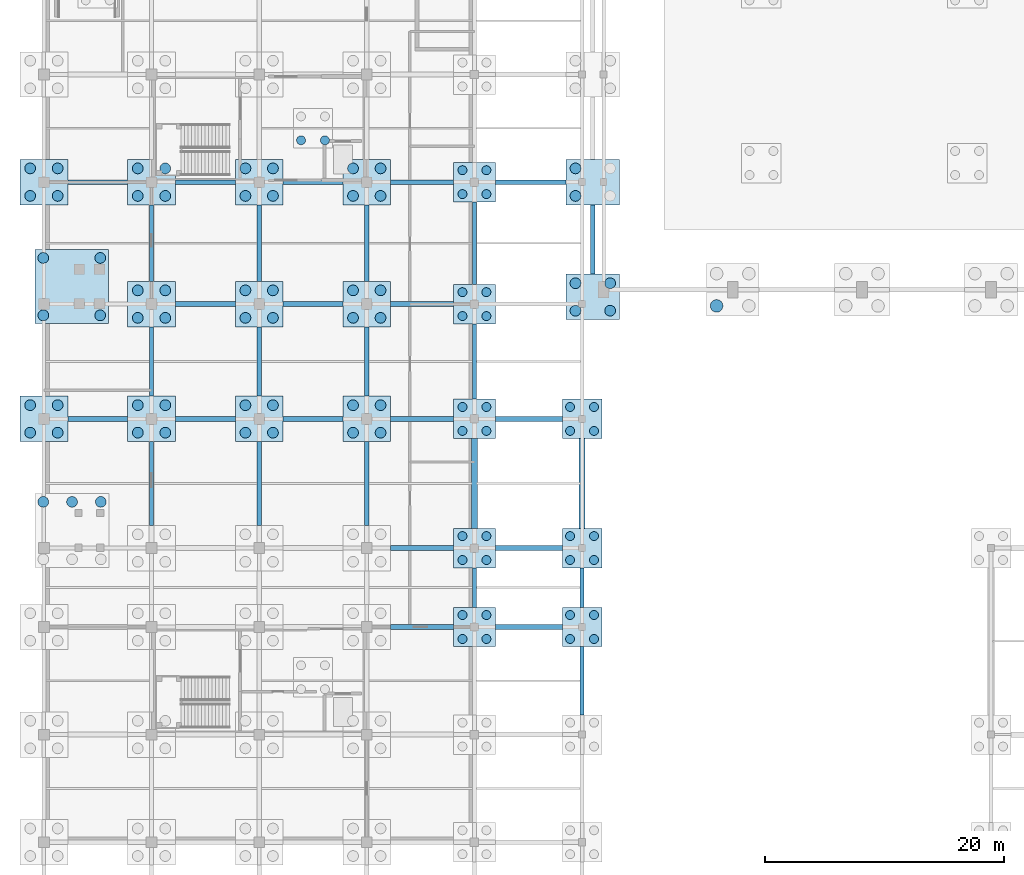
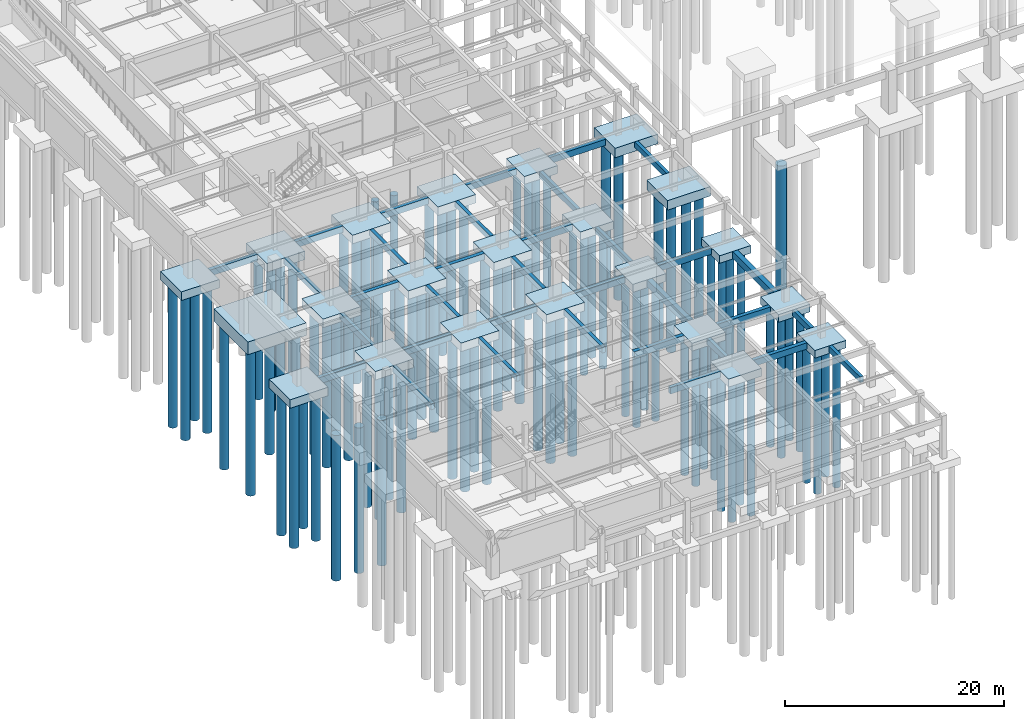
# One storey, part 2 of 33: 92 piles, 56 footings.
"""IFC4 building model written with IfcOpenShell, lengths in metres."""

from ifc_helpers import new_model, si_unit, direction, frame, origin, origin_2d, place, context, subcontext, project, spatial, rectangle, circle, extrude, material, material_profile, profile_set, type_object, element, save


model = new_model("IFC4")

# Units and contexts
model_context = context("Model", 3, precision=1e-05, world=origin(), true_north=direction((0.0, 1.0)))
body_context = subcontext(model_context, "Body", "Model", "MODEL_VIEW")
ifc_project = project(units=[si_unit("LENGTHUNIT", "METRE"), si_unit("AREAUNIT", "SQUARE_METRE"), si_unit("VOLUMEUNIT", "CUBIC_METRE"), si_unit("PLANEANGLEUNIT", "RADIAN"), si_unit("MASSUNIT", "GRAM", prefix="KILO")], contexts=[model_context])

# Site, building, storey
site_placement = place(None, origin())
site = spatial("IfcSite", under=ifc_project, at=site_placement, CompositionType="ELEMENT")
building_placement = place(site_placement, origin())
building = spatial("IfcBuilding", under=site, at=building_placement, Name="Suirenkawa Promenade Aquatics Centre", CompositionType="ELEMENT")
storey_placement = place(building_placement, frame((0.0, 0.0, -4.800048828125)))
storey = spatial("IfcBuildingStorey", under=building, at=storey_placement, Name="B1", CompositionType="ELEMENT", Elevation=-4.800048828125)

# Footings
ifc_material = material(Name="Concrete M35", Category="concrete")
footing_type_1 = type_object("IfcFootingType", Name="FT-GB-350x650", PredefinedType="FOOTING_BEAM", material=ifc_material)
footing_1_placement = place(storey_placement, frame((9.0, 34.199951171875, -0.64990234375), z_axis=(0.0, 0.0, 1.0), x_axis=(0.0, 1.0, 0.0)))
element("IfcFooting", 1, at=footing_1_placement, inside=storey, type_object=footing_type_1, Name="Ground tie beam GB-06 GB-0179", PredefinedType="FOOTING_BEAM", context=body_context, shape_type="SweptSolid", body=[
    extrude(rectangle(XDim=7.0, YDim=0.35009765625, at=origin_2d()), origin(), (0.0, 0.0, 1.0), 0.64990234375),
])
footing_2_placement = place(storey_placement, frame((9.0, 44.39990234375, -0.64990234375), z_axis=(0.0, 0.0, 1.0), x_axis=(0.0, 1.0, 0.0)))
element("IfcFooting", 2, at=footing_2_placement, inside=storey, type_object=footing_type_1, Name="Ground tie beam GB-06 GB-0180", PredefinedType="FOOTING_BEAM", context=body_context, shape_type="SweptSolid", body=[
    extrude(rectangle(XDim=5.800048828125, YDim=0.35009765625, at=origin_2d()), origin(), (0.0, 0.0, 1.0), 0.64990234375),
])
footing_3_placement = place(storey_placement, frame((9.0, 54.300048828125, -0.64990234375), z_axis=(0.0, 0.0, 1.0), x_axis=(0.0, 1.0, 0.0)))
element("IfcFooting", 3, at=footing_3_placement, inside=storey, type_object=footing_type_1, Name="Ground tie beam GB-06 GB-0181", PredefinedType="FOOTING_BEAM", context=body_context, shape_type="SweptSolid", body=[
    extrude(rectangle(XDim=6.39990234375, YDim=0.35009765625, at=origin_2d()), origin(), (0.0, 0.0, 1.0), 0.64990234375),
])
footing_4_placement = place(storey_placement, frame((18.0, 34.199951171875, -0.64990234375), z_axis=(0.0, 0.0, 1.0), x_axis=(0.0, 1.0, 0.0)))
element("IfcFooting", 4, at=footing_4_placement, inside=storey, type_object=footing_type_1, Name="Ground tie beam GB-06 GB-0192", PredefinedType="FOOTING_BEAM", context=body_context, shape_type="SweptSolid", body=[
    extrude(rectangle(XDim=7.0, YDim=0.35009765625, at=origin_2d()), origin(), (0.0, 0.0, 1.0), 0.64990234375),
])
footing_5_placement = place(storey_placement, frame((18.0, 44.39990234375, -0.64990234375), z_axis=(0.0, 0.0, 1.0), x_axis=(0.0, 1.0, 0.0)))
element("IfcFooting", 5, at=footing_5_placement, inside=storey, type_object=footing_type_1, Name="Ground tie beam GB-06 GB-0193", PredefinedType="FOOTING_BEAM", context=body_context, shape_type="SweptSolid", body=[
    extrude(rectangle(XDim=5.800048828125, YDim=0.35009765625, at=origin_2d()), origin(), (0.0, 0.0, 1.0), 0.64990234375),
])
footing_6_placement = place(storey_placement, frame((18.0, 54.300048828125, -0.64990234375), z_axis=(0.0, 0.0, 1.0), x_axis=(0.0, 1.0, 0.0)))
element("IfcFooting", 6, at=footing_6_placement, inside=storey, type_object=footing_type_1, Name="Ground tie beam GB-06 GB-0194", PredefinedType="FOOTING_BEAM", context=body_context, shape_type="SweptSolid", body=[
    extrude(rectangle(XDim=6.39990234375, YDim=0.35009765625, at=origin_2d()), origin(), (0.0, 0.0, 1.0), 0.64990234375),
])
footing_7_placement = place(storey_placement, frame((27.0, 34.199951171875, -0.64990234375), z_axis=(0.0, 0.0, 1.0), x_axis=(0.0, 1.0, 0.0)))
element("IfcFooting", 7, at=footing_7_placement, inside=storey, type_object=footing_type_1, Name="Ground tie beam GB-06 GB-0205", PredefinedType="FOOTING_BEAM", context=body_context, shape_type="SweptSolid", body=[
    extrude(rectangle(XDim=7.0, YDim=0.35009765625, at=origin_2d()), origin(), (0.0, 0.0, 1.0), 0.64990234375),
])
footing_8_placement = place(storey_placement, frame((27.0, 44.39990234375, -0.64990234375), z_axis=(0.0, 0.0, 1.0), x_axis=(0.0, 1.0, 0.0)))
element("IfcFooting", 8, at=footing_8_placement, inside=storey, type_object=footing_type_1, Name="Ground tie beam GB-06 GB-0206", PredefinedType="FOOTING_BEAM", context=body_context, shape_type="SweptSolid", body=[
    extrude(rectangle(XDim=5.800048828125, YDim=0.35009765625, at=origin_2d()), origin(), (0.0, 0.0, 1.0), 0.64990234375),
])
footing_9_placement = place(storey_placement, frame((27.0, 54.300048828125, -0.64990234375), z_axis=(0.0, 0.0, 1.0), x_axis=(0.0, 1.0, 0.0)))
element("IfcFooting", 9, at=footing_9_placement, inside=storey, type_object=footing_type_1, Name="Ground tie beam GB-06 GB-0207", PredefinedType="FOOTING_BEAM", context=body_context, shape_type="SweptSolid", body=[
    extrude(rectangle(XDim=6.39990234375, YDim=0.35009765625, at=origin_2d()), origin(), (0.0, 0.0, 1.0), 0.64990234375),
])
footing_10_placement = place(storey_placement, frame((36.0, 25.5, -0.64990234375), z_axis=(0.0, 0.0, 1.0), x_axis=(0.0, 1.0, 0.0)))
element("IfcFooting", 10, at=footing_10_placement, inside=storey, type_object=footing_type_1, Name="Ground tie beam GB-06 GB-0217", PredefinedType="FOOTING_BEAM", context=body_context, shape_type="SweptSolid", body=[
    extrude(rectangle(XDim=3.300048828125, YDim=0.35009765625, at=origin_2d()), origin(), (0.0, 0.0, 1.0), 0.64990234375),
])
footing_11_placement = place(storey_placement, frame((36.0, 44.39990234375, -0.64990234375), z_axis=(0.0, 0.0, 1.0), x_axis=(0.0, 1.0, 0.0)))
element("IfcFooting", 11, at=footing_11_placement, inside=storey, type_object=footing_type_1, Name="Ground tie beam GB-06 GB-0219", PredefinedType="FOOTING_BEAM", context=body_context, shape_type="SweptSolid", body=[
    extrude(rectangle(XDim=6.300048828125, YDim=0.35009765625, at=origin_2d()), origin(), (0.0, 0.0, 1.0), 0.64990234375),
])
footing_12_placement = place(storey_placement, frame((36.0, 54.300048828125, -0.64990234375), z_axis=(0.0, 0.0, 1.0), x_axis=(0.0, 1.0, 0.0)))
element("IfcFooting", 12, at=footing_12_placement, inside=storey, type_object=footing_type_1, Name="Ground tie beam GB-06 GB-0220", PredefinedType="FOOTING_BEAM", context=body_context, shape_type="SweptSolid", body=[
    extrude(rectangle(XDim=6.89990234375, YDim=0.35009765625, at=origin_2d()), origin(), (0.0, 0.0, 1.0), 0.64990234375),
])
footing_13_placement = place(storey_placement, frame((45.0, 17.699951171875, -0.64990234375), z_axis=(0.0, 0.0, 1.0), x_axis=(0.0, 1.0, 0.0)))
element("IfcFooting", 13, at=footing_13_placement, inside=storey, type_object=footing_type_1, Name="Ground tie beam GB-06 GB-0229", PredefinedType="FOOTING_BEAM", context=body_context, shape_type="SweptSolid", body=[
    extrude(rectangle(XDim=5.699951171875, YDim=0.35009765625, at=origin_2d()), origin(), (0.0, 0.0, 1.0), 0.64990234375),
])
footing_14_placement = place(storey_placement, frame((45.0, 25.5, -0.64990234375), z_axis=(0.0, 0.0, 1.0), x_axis=(0.0, 1.0, 0.0)))
element("IfcFooting", 14, at=footing_14_placement, inside=storey, type_object=footing_type_1, Name="Ground tie beam GB-06 GB-0230", PredefinedType="FOOTING_BEAM", context=body_context, shape_type="SweptSolid", body=[
    extrude(rectangle(XDim=3.300048828125, YDim=0.35009765625, at=origin_2d()), origin(), (0.0, 0.0, 1.0), 0.64990234375),
])
footing_15_placement = place(storey_placement, frame((45.89990234375, 54.60009765625, -0.64990234375), z_axis=(0.0, 0.0, 1.0), x_axis=(0.0, 1.0, 0.0)))
element("IfcFooting", 15, at=footing_15_placement, inside=storey, type_object=footing_type_1, Name="Ground tie beam GB-06 GB-0232", PredefinedType="FOOTING_BEAM", context=body_context, shape_type="SweptSolid", body=[
    extrude(rectangle(XDim=5.800048828125, YDim=0.35009765625, at=origin_2d()), origin(), (0.0, 0.0, 1.0), 0.64990234375),
])
footing_type_2 = type_object("IfcFootingType", Name="FT-GB-400x700", PredefinedType="FOOTING_BEAM", material=ifc_material)
footing_16_placement = place(storey_placement, frame((31.625, 22.199951171875, -0.69970703125), z_axis=(0.0, 0.0, 1.0), x_axis=(1.0, 0.0, 0.0)))
element("IfcFooting", 16, at=footing_16_placement, inside=storey, type_object=footing_type_2, Name="Ground tie beam GB-01 GB-0046", PredefinedType="FOOTING_BEAM", context=body_context, shape_type="SweptSolid", body=[
    extrude(rectangle(XDim=5.25, YDim=0.39990234375, at=origin_2d()), origin(), (0.0, 0.0, 1.0), 0.699951171875),
])
footing_17_placement = place(storey_placement, frame((40.550048828125, 22.199951171875, -0.69970703125), z_axis=(0.0, 0.0, 1.0), x_axis=(1.0, 0.0, 0.0)))
element("IfcFooting", 17, at=footing_17_placement, inside=storey, type_object=footing_type_2, Name="Ground tie beam GB-01 GB-0047", PredefinedType="FOOTING_BEAM", context=body_context, shape_type="SweptSolid", body=[
    extrude(rectangle(XDim=5.60009765625, YDim=0.39990234375, at=origin_2d()), origin(), (0.0, 0.0, 1.0), 0.699951171875),
])
footing_18_placement = place(storey_placement, frame((31.625, 28.800048828125, -0.69970703125), z_axis=(0.0, 0.0, 1.0), x_axis=(1.0, 0.0, 0.0)))
element("IfcFooting", 18, at=footing_18_placement, inside=storey, type_object=footing_type_2, Name="Ground tie beam GB-01 GB-0054", PredefinedType="FOOTING_BEAM", context=body_context, shape_type="SweptSolid", body=[
    extrude(rectangle(XDim=5.25, YDim=0.39990234375, at=origin_2d()), origin(), (0.0, 0.0, 1.0), 0.699951171875),
])
footing_19_placement = place(storey_placement, frame((40.550048828125, 28.800048828125, -0.69970703125), z_axis=(0.0, 0.0, 1.0), x_axis=(1.0, 0.0, 0.0)))
element("IfcFooting", 19, at=footing_19_placement, inside=storey, type_object=footing_type_2, Name="Ground tie beam GB-01 GB-0055", PredefinedType="FOOTING_BEAM", context=body_context, shape_type="SweptSolid", body=[
    extrude(rectangle(XDim=5.60009765625, YDim=0.39990234375, at=origin_2d()), origin(), (0.0, 0.0, 1.0), 0.699951171875),
])
for number, where, z_axis, x_axis, name in (
    (20, (4.5, 39.60009765625, -0.69970703125), (0.0, 0.0, 1.0), (1.0, 0.0, 0.0), "Ground tie beam GB-01 GB-0072"),
    (21, (13.5, 39.60009765625, -0.69970703125), (0.0, 0.0, 1.0), (1.0, 0.0, 0.0), "Ground tie beam GB-01 GB-0073"),
    (22, (22.5, 39.60009765625, -0.69970703125), (0.0, 0.0, 1.0), (1.0, 0.0, 0.0), "Ground tie beam GB-01 GB-0074"),
):
    element("IfcFooting", number, at=place(storey_placement, frame(where, z_axis=z_axis, x_axis=x_axis)), inside=storey, type_object=footing_type_2, Name=name, PredefinedType="FOOTING_BEAM", context=body_context, shape_type="SweptSolid", body=[
        extrude(rectangle(XDim=5.0, YDim=0.39990234375, at=origin_2d()), origin(), (0.0, 0.0, 1.0), 0.699951171875),
    ])
footing_20_placement = place(storey_placement, frame((31.625, 39.60009765625, -0.69970703125), z_axis=(0.0, 0.0, 1.0), x_axis=(1.0, 0.0, 0.0)))
element("IfcFooting", 23, at=footing_20_placement, inside=storey, type_object=footing_type_2, Name="Ground tie beam GB-01 GB-0075", PredefinedType="FOOTING_BEAM", context=body_context, shape_type="SweptSolid", body=[
    extrude(rectangle(XDim=5.25, YDim=0.39990234375, at=origin_2d()), origin(), (0.0, 0.0, 1.0), 0.699951171875),
])
footing_21_placement = place(storey_placement, frame((40.550048828125, 39.60009765625, -0.69970703125), z_axis=(0.0, 0.0, 1.0), x_axis=(1.0, 0.0, 0.0)))
element("IfcFooting", 24, at=footing_21_placement, inside=storey, type_object=footing_type_2, Name="Ground tie beam GB-01 GB-0076", PredefinedType="FOOTING_BEAM", context=body_context, shape_type="SweptSolid", body=[
    extrude(rectangle(XDim=5.60009765625, YDim=0.39990234375, at=origin_2d()), origin(), (0.0, 0.0, 1.0), 0.699951171875),
])
for number, where, z_axis, x_axis, name in (
    (25, (13.5, 49.199951171875, -0.69970703125), (0.0, 0.0, 1.0), (1.0, 0.0, 0.0), "Ground tie beam GB-01 GB-0081"),
    (26, (22.5, 49.199951171875, -0.69970703125), (0.0, 0.0, 1.0), (1.0, 0.0, 0.0), "Ground tie beam GB-01 GB-0082"),
):
    element("IfcFooting", number, at=place(storey_placement, frame(where, z_axis=z_axis, x_axis=x_axis)), inside=storey, type_object=footing_type_2, Name=name, PredefinedType="FOOTING_BEAM", context=body_context, shape_type="SweptSolid", body=[
        extrude(rectangle(XDim=5.0, YDim=0.39990234375, at=origin_2d()), origin(), (0.0, 0.0, 1.0), 0.699951171875),
    ])
footing_22_placement = place(storey_placement, frame((31.625, 49.199951171875, -0.69970703125), z_axis=(0.0, 0.0, 1.0), x_axis=(1.0, 0.0, 0.0)))
element("IfcFooting", 27, at=footing_22_placement, inside=storey, type_object=footing_type_2, Name="Ground tie beam GB-01 GB-0083", PredefinedType="FOOTING_BEAM", context=body_context, shape_type="SweptSolid", body=[
    extrude(rectangle(XDim=5.25, YDim=0.39990234375, at=origin_2d()), origin(), (0.0, 0.0, 1.0), 0.699951171875),
])
for number, where, z_axis, x_axis, name in (
    (28, (4.5, 59.39990234375, -0.69970703125), (0.0, 0.0, 1.0), (1.0, 0.0, 0.0), "Ground tie beam GB-01 GB-0096"),
    (29, (13.5, 59.39990234375, -0.69970703125), (0.0, 0.0, 1.0), (1.0, 0.0, 0.0), "Ground tie beam GB-01 GB-0097"),
    (30, (22.5, 59.39990234375, -0.69970703125), (0.0, 0.0, 1.0), (1.0, 0.0, 0.0), "Ground tie beam GB-01 GB-0098"),
):
    element("IfcFooting", number, at=place(storey_placement, frame(where, z_axis=z_axis, x_axis=x_axis)), inside=storey, type_object=footing_type_2, Name=name, PredefinedType="FOOTING_BEAM", context=body_context, shape_type="SweptSolid", body=[
        extrude(rectangle(XDim=5.0, YDim=0.39990234375, at=origin_2d()), origin(), (0.0, 0.0, 1.0), 0.699951171875),
    ])
footing_23_placement = place(storey_placement, frame((31.625, 59.39990234375, -0.69970703125), z_axis=(0.0, 0.0, 1.0), x_axis=(1.0, 0.0, 0.0)))
element("IfcFooting", 31, at=footing_23_placement, inside=storey, type_object=footing_type_2, Name="Ground tie beam GB-01 GB-0099", PredefinedType="FOOTING_BEAM", context=body_context, shape_type="SweptSolid", body=[
    extrude(rectangle(XDim=5.25, YDim=0.39990234375, at=origin_2d()), origin(), (0.0, 0.0, 1.0), 0.699951171875),
])
footing_24_placement = place(storey_placement, frame((40.699951171875, 59.39990234375, -0.69970703125), z_axis=(0.0, 0.0, 1.0), x_axis=(1.0, 0.0, 0.0)))
element("IfcFooting", 32, at=footing_24_placement, inside=storey, type_object=footing_type_2, Name="Ground tie beam GB-01 GB-0100", PredefinedType="FOOTING_BEAM", context=body_context, shape_type="SweptSolid", body=[
    extrude(rectangle(XDim=5.89990234375, YDim=0.39990234375, at=origin_2d()), origin(), (0.0, 0.0, 1.0), 0.699951171875),
])
footing_type_3 = type_object("IfcFootingType", Name="FT-GB-500x800", PredefinedType="FOOTING_BEAM", material=ifc_material)
for number, where, z_axis, x_axis, name in (
    (33, (36.0, 34.199951171875, -0.7998046875), (0.0, 0.0, 1.0), (0.0, 1.0, 0.0), "Ground tie beam GB-03 GB-0218"),
    (34, (45.0, 34.199951171875, -0.7998046875), (0.0, 0.0, 1.0), (0.0, 1.0, 0.0), "Ground tie beam GB-03 GB-0231"),
):
    element("IfcFooting", number, at=place(storey_placement, frame(where, z_axis=z_axis, x_axis=x_axis)), inside=storey, type_object=footing_type_3, Name=name, PredefinedType="FOOTING_BEAM", context=body_context, shape_type="SweptSolid", body=[
        extrude(rectangle(XDim=7.5, YDim=0.5, at=origin_2d()), origin(), (0.0, 0.0, 1.0), 0.800048828125),
    ])
footing_type_4 = type_object("IfcFootingType", Name="FT-PC-3300x3300x850", PredefinedType="PILE_CAP", material=ifc_material)
for number, where, z_axis, x_axis, name in (
    (35, (45.0, 22.199951171875, -0.85009765625), (0.0, 0.0, 1.0), (1.0, 0.0, 0.0), "Foundation PC-02 CAP-058"),
    (36, (45.0, 28.800048828125, -0.85009765625), (0.0, 0.0, 1.0), (1.0, 0.0, 0.0), "Foundation PC-02 CAP-069"),
    (37, (45.0, 39.60009765625, -0.85009765625), (0.0, 0.0, 1.0), (1.0, 0.0, 0.0), "Foundation PC-02 CAP-093"),
):
    element("IfcFooting", number, at=place(storey_placement, frame(where, z_axis=z_axis, x_axis=x_axis)), inside=storey, type_object=footing_type_4, Name=name, PredefinedType="PILE_CAP", context=body_context, shape_type="SweptSolid", body=[
        extrude(rectangle(XDim=3.300048828125, YDim=3.300048828125, at=origin_2d()), origin(), (0.0, 0.0, 1.0), 0.85009765625),
    ])
footing_type_5 = type_object("IfcFootingType", Name="FT-PC-3500x3300x880", PredefinedType="PILE_CAP", material=ifc_material)
for number, where, z_axis, x_axis, name in (
    (38, (36.0, 22.199951171875, -0.8798828125), (0.0, 0.0, 1.0), (1.0, 0.0, 0.0), "Foundation PC-03 CAP-057"),
    (39, (36.0, 28.800048828125, -0.8798828125), (0.0, 0.0, 1.0), (1.0, 0.0, 0.0), "Foundation PC-03 CAP-068"),
    (40, (36.0, 39.60009765625, -0.8798828125), (0.0, 0.0, 1.0), (1.0, 0.0, 0.0), "Foundation PC-03 CAP-092"),
    (41, (36.0, 49.199951171875, -0.8798828125), (0.0, 0.0, 1.0), (1.0, 0.0, 0.0), "Foundation PC-03 CAP-103"),
    (42, (36.0, 59.39990234375, -0.8798828125), (0.0, 0.0, 1.0), (1.0, 0.0, 0.0), "Foundation PC-03 CAP-123"),
):
    element("IfcFooting", number, at=place(storey_placement, frame(where, z_axis=z_axis, x_axis=x_axis)), inside=storey, type_object=footing_type_5, Name=name, PredefinedType="PILE_CAP", context=body_context, shape_type="SweptSolid", body=[
        extrude(rectangle(XDim=3.5, YDim=3.300048828125, at=origin_2d()), origin(), (0.0, 0.0, 1.0), 0.8798828125),
    ])
footing_type_6 = type_object("IfcFootingType", Name="FT-PC-4000x3800x950", PredefinedType="PILE_CAP", material=ifc_material)
for number, where, z_axis, x_axis, name in (
    (43, (0.0, 39.60009765625, -0.94970703125), (0.0, 0.0, 1.0), (1.0, 0.0, 0.0), "Foundation PC-05 CAP-088"),
    (44, (9.0, 39.60009765625, -0.94970703125), (0.0, 0.0, 1.0), (1.0, 0.0, 0.0), "Foundation PC-05 CAP-089"),
    (45, (18.0, 39.60009765625, -0.94970703125), (0.0, 0.0, 1.0), (1.0, 0.0, 0.0), "Foundation PC-05 CAP-090"),
    (46, (27.0, 39.60009765625, -0.94970703125), (0.0, 0.0, 1.0), (1.0, 0.0, 0.0), "Foundation PC-05 CAP-091"),
    (47, (9.0, 49.199951171875, -0.94970703125), (0.0, 0.0, 1.0), (1.0, 0.0, 0.0), "Foundation PC-05 CAP-100"),
    (48, (18.0, 49.199951171875, -0.94970703125), (0.0, 0.0, 1.0), (1.0, 0.0, 0.0), "Foundation PC-05 CAP-101"),
    (49, (27.0, 49.199951171875, -0.94970703125), (0.0, 0.0, 1.0), (1.0, 0.0, 0.0), "Foundation PC-05 CAP-102"),
    (50, (0.0, 59.39990234375, -0.94970703125), (0.0, 0.0, 1.0), (1.0, 0.0, 0.0), "Foundation PC-05 CAP-119"),
    (51, (9.0, 59.39990234375, -0.94970703125), (0.0, 0.0, 1.0), (1.0, 0.0, 0.0), "Foundation PC-05 CAP-120"),
    (52, (18.0, 59.39990234375, -0.94970703125), (0.0, 0.0, 1.0), (1.0, 0.0, 0.0), "Foundation PC-05 CAP-121"),
    (53, (27.0, 59.39990234375, -0.94970703125), (0.0, 0.0, 1.0), (1.0, 0.0, 0.0), "Foundation PC-05 CAP-122"),
):
    element("IfcFooting", number, at=place(storey_placement, frame(where, z_axis=z_axis, x_axis=x_axis)), inside=storey, type_object=footing_type_6, Name=name, PredefinedType="PILE_CAP", context=body_context, shape_type="SweptSolid", body=[
        extrude(rectangle(XDim=4.0, YDim=3.800048828125, at=origin_2d()), origin(), (0.0, 0.0, 1.0), 0.949951171875),
    ])
footing_type_7 = type_object("IfcFootingType", Name="FT-PCC-4500x3800x1050", PredefinedType="PILE_CAP", material=ifc_material)
for number, where, z_axis, x_axis, name in (
    (54, (45.89990234375, 49.800048828125, -1.0498046875), (0.0, 0.0, 1.0), (1.0, 0.0, 0.0), "Foundation PCC-01 CAP-104"),
    (55, (45.89990234375, 59.39990234375, -1.0498046875), (0.0, 0.0, 1.0), (1.0, 0.0, 0.0), "Foundation PCC-01 CAP-124"),
):
    element("IfcFooting", number, at=place(storey_placement, frame(where, z_axis=z_axis, x_axis=x_axis)), inside=storey, type_object=footing_type_7, Name=name, PredefinedType="PILE_CAP", context=body_context, shape_type="SweptSolid", body=[
        extrude(rectangle(XDim=4.5, YDim=3.800048828125, at=origin_2d()), origin(), (0.0, 0.0, 1.0), 1.050048828125),
    ])
footing_type_8 = type_object("IfcFootingType", Name="FT-PCC-6160x6200", PredefinedType="PILE_CAP", material=ifc_material)
footing_25_placement = place(storey_placement, frame((2.327880859375, 50.6630859375, -1.39990234375), z_axis=(0.0, 0.0, 1.0), x_axis=(1.0, 0.0, 0.0)))
element("IfcFooting", 56, at=footing_25_placement, inside=storey, type_object=footing_type_8, Name="Foundation PCC-04 CAP-099", PredefinedType="PILE_CAP", context=body_context, shape_type="SweptSolid", body=[
    extrude(rectangle(XDim=6.159912109375, YDim=6.199951171875, at=origin_2d()), origin(), (0.0, 0.0, 1.0), 1.39990234375),
])

# Piles
ifc_material_profile_1 = material_profile(ifc_material, circle(Radius=0.52490234375, at=origin_2d()), Name="PILE D1050", Category="concrete")
ifc_profile_set_1 = profile_set([ifc_material_profile_1], Name="Concrete M35")
pile_type_1 = type_object("IfcPileType", Name="PT-BORED-1050", PredefinedType="BORED", material=ifc_profile_set_1)
pile_placement = place(storey_placement, frame((56.25, 49.050048828125, -0.89990234375), z_axis=(0.0, 0.0, -1.0), x_axis=(1.0, 0.0, 0.0)))
element("IfcPile", 57, at=pile_placement, inside=storey, type_object=pile_type_1, Name="Bored pile PL-04 PL-0397", PredefinedType="BORED", context=body_context, shape_type="SweptSolid", body=[
    extrude(circle(Radius=0.52490234375, at=origin_2d()), origin(), (0.0, 0.0, 1.0), 16.800048828125),
])
ifc_material_profile_2 = material_profile(ifc_material, circle(Radius=0.375, at=origin_2d()), Name="PILE D750", Category="concrete")
ifc_profile_set_2 = profile_set([ifc_material_profile_2], Name="Concrete M35")
pile_type_2 = type_object("IfcPileType", Name="PT-BORED-750", PredefinedType="BORED", material=ifc_profile_set_2)
for number, where, z_axis, x_axis, name in (
    (58, (35.0, 21.199951171875, -0.75), (0.0, 0.0, -1.0), (1.0, 0.0, 0.0), "Bored pile PL-02 PL-0207"),
    (59, (35.0, 23.199951171875, -0.75), (0.0, 0.0, -1.0), (1.0, 0.0, 0.0), "Bored pile PL-02 PL-0208"),
    (60, (37.0, 21.199951171875, -0.75), (0.0, 0.0, -1.0), (1.0, 0.0, 0.0), "Bored pile PL-02 PL-0209"),
    (61, (37.0, 23.199951171875, -0.75), (0.0, 0.0, -1.0), (1.0, 0.0, 0.0), "Bored pile PL-02 PL-0210"),
    (62, (44.0, 21.199951171875, -0.75), (0.0, 0.0, -1.0), (1.0, 0.0, 0.0), "Bored pile PL-02 PL-0211"),
    (63, (44.0, 23.199951171875, -0.75), (0.0, 0.0, -1.0), (1.0, 0.0, 0.0), "Bored pile PL-02 PL-0212"),
    (64, (46.0, 21.199951171875, -0.75), (0.0, 0.0, -1.0), (1.0, 0.0, 0.0), "Bored pile PL-02 PL-0213"),
    (65, (46.0, 23.199951171875, -0.75), (0.0, 0.0, -1.0), (1.0, 0.0, 0.0), "Bored pile PL-02 PL-0214"),
    (66, (35.0, 27.800048828125, -0.75), (0.0, 0.0, -1.0), (1.0, 0.0, 0.0), "Bored pile PL-02 PL-0253"),
    (67, (35.0, 29.800048828125, -0.75), (0.0, 0.0, -1.0), (1.0, 0.0, 0.0), "Bored pile PL-02 PL-0254"),
    (68, (37.0, 27.800048828125, -0.75), (0.0, 0.0, -1.0), (1.0, 0.0, 0.0), "Bored pile PL-02 PL-0255"),
    (69, (37.0, 29.800048828125, -0.75), (0.0, 0.0, -1.0), (1.0, 0.0, 0.0), "Bored pile PL-02 PL-0256"),
    (70, (44.0, 27.800048828125, -0.75), (0.0, 0.0, -1.0), (1.0, 0.0, 0.0), "Bored pile PL-02 PL-0257"),
    (71, (44.0, 29.800048828125, -0.75), (0.0, 0.0, -1.0), (1.0, 0.0, 0.0), "Bored pile PL-02 PL-0258"),
    (72, (46.0, 27.800048828125, -0.75), (0.0, 0.0, -1.0), (1.0, 0.0, 0.0), "Bored pile PL-02 PL-0259"),
    (73, (46.0, 29.800048828125, -0.75), (0.0, 0.0, -1.0), (1.0, 0.0, 0.0), "Bored pile PL-02 PL-0260"),
    (74, (35.0, 38.60009765625, -0.75), (0.0, 0.0, -1.0), (1.0, 0.0, 0.0), "Bored pile PL-02 PL-0325"),
    (75, (35.0, 40.60009765625, -0.75), (0.0, 0.0, -1.0), (1.0, 0.0, 0.0), "Bored pile PL-02 PL-0326"),
    (76, (37.0, 38.60009765625, -0.75), (0.0, 0.0, -1.0), (1.0, 0.0, 0.0), "Bored pile PL-02 PL-0327"),
    (77, (37.0, 40.60009765625, -0.75), (0.0, 0.0, -1.0), (1.0, 0.0, 0.0), "Bored pile PL-02 PL-0328"),
    (78, (44.0, 38.60009765625, -0.75), (0.0, 0.0, -1.0), (1.0, 0.0, 0.0), "Bored pile PL-02 PL-0329"),
    (79, (44.0, 40.60009765625, -0.75), (0.0, 0.0, -1.0), (1.0, 0.0, 0.0), "Bored pile PL-02 PL-0330"),
    (80, (46.0, 38.60009765625, -0.75), (0.0, 0.0, -1.0), (1.0, 0.0, 0.0), "Bored pile PL-02 PL-0331"),
    (81, (46.0, 40.60009765625, -0.75), (0.0, 0.0, -1.0), (1.0, 0.0, 0.0), "Bored pile PL-02 PL-0332"),
    (82, (35.0, 48.199951171875, -0.75), (0.0, 0.0, -1.0), (1.0, 0.0, 0.0), "Bored pile PL-02 PL-0369"),
    (83, (35.0, 50.199951171875, -0.75), (0.0, 0.0, -1.0), (1.0, 0.0, 0.0), "Bored pile PL-02 PL-0370"),
    (84, (37.0, 48.199951171875, -0.75), (0.0, 0.0, -1.0), (1.0, 0.0, 0.0), "Bored pile PL-02 PL-0371"),
    (85, (37.0, 50.199951171875, -0.75), (0.0, 0.0, -1.0), (1.0, 0.0, 0.0), "Bored pile PL-02 PL-0372"),
    (86, (35.0, 58.39990234375, -0.75), (0.0, 0.0, -1.0), (1.0, 0.0, 0.0), "Bored pile PL-02 PL-0449"),
    (87, (35.0, 60.39990234375, -0.75), (0.0, 0.0, -1.0), (1.0, 0.0, 0.0), "Bored pile PL-02 PL-0450"),
    (88, (37.0, 58.39990234375, -0.75), (0.0, 0.0, -1.0), (1.0, 0.0, 0.0), "Bored pile PL-02 PL-0451"),
    (89, (37.0, 60.39990234375, -0.75), (0.0, 0.0, -1.0), (1.0, 0.0, 0.0), "Bored pile PL-02 PL-0452"),
):
    element("IfcPile", number, at=place(storey_placement, frame(where, z_axis=z_axis, x_axis=x_axis)), inside=storey, type_object=pile_type_2, Name=name, PredefinedType="BORED", context=body_context, shape_type="SweptSolid", body=[
        extrude(circle(Radius=0.375, at=origin_2d()), origin(), (0.0, 0.0, 1.0), 15.60009765625),
    ])
for number, where, z_axis, x_axis, name in (
    (90, (21.5, 62.89990234375, -1.22998046875), (0.0, 0.0, -1.0), (1.0, 0.0, 0.0), "Bored pile PL-02 PL-0847"),
    (91, (23.5, 62.89990234375, -1.22998046875), (0.0, 0.0, -1.0), (1.0, 0.0, 0.0), "Bored pile PL-02 PL-0849"),
):
    element("IfcPile", number, at=place(storey_placement, frame(where, z_axis=z_axis, x_axis=x_axis)), inside=storey, type_object=pile_type_2, Name=name, PredefinedType="BORED", context=body_context, shape_type="SweptSolid", body=[
        extrude(circle(Radius=0.375, at=origin_2d()), origin(), (0.0, 0.0, 1.0), 15.1201171875),
    ])
ifc_material_profile_3 = material_profile(ifc_material, circle(Radius=0.449951171875, at=origin_2d()), Name="PILE D900", Category="concrete")
ifc_profile_set_3 = profile_set([ifc_material_profile_3], Name="Concrete M35")
pile_type_3 = type_object("IfcPileType", Name="PT-BORED-900", PredefinedType="BORED", material=ifc_profile_set_3)
for number, where, z_axis, x_axis, name in (
    (92, (-0.052001953125, 32.6630859375, -1.300048828125), (0.0, 0.0, -1.0), (1.0, 0.0, 0.0), "Bored pile PL-03 PL-0236"),
    (93, (2.35302734375, 32.6630859375, -1.300048828125), (0.0, 0.0, -1.0), (1.0, 0.0, 0.0), "Bored pile PL-03 PL-0238"),
    (94, (4.758056640625, 32.6630859375, -1.300048828125), (0.0, 0.0, -1.0), (1.0, 0.0, 0.0), "Bored pile PL-03 PL-0240"),
    (95, (-1.14990234375, 38.449951171875, -0.800048828125), (0.0, 0.0, -1.0), (1.0, 0.0, 0.0), "Bored pile PL-03 PL-0309"),
    (96, (-1.14990234375, 40.75, -0.800048828125), (0.0, 0.0, -1.0), (1.0, 0.0, 0.0), "Bored pile PL-03 PL-0310"),
    (97, (1.14990234375, 38.449951171875, -0.800048828125), (0.0, 0.0, -1.0), (1.0, 0.0, 0.0), "Bored pile PL-03 PL-0311"),
    (98, (1.14990234375, 40.75, -0.800048828125), (0.0, 0.0, -1.0), (1.0, 0.0, 0.0), "Bored pile PL-03 PL-0312"),
    (99, (7.85009765625, 38.449951171875, -0.800048828125), (0.0, 0.0, -1.0), (1.0, 0.0, 0.0), "Bored pile PL-03 PL-0313"),
    (100, (7.85009765625, 40.75, -0.800048828125), (0.0, 0.0, -1.0), (1.0, 0.0, 0.0), "Bored pile PL-03 PL-0314"),
    (101, (10.14990234375, 38.449951171875, -0.800048828125), (0.0, 0.0, -1.0), (1.0, 0.0, 0.0), "Bored pile PL-03 PL-0315"),
    (102, (10.14990234375, 40.75, -0.800048828125), (0.0, 0.0, -1.0), (1.0, 0.0, 0.0), "Bored pile PL-03 PL-0316"),
    (103, (16.85009765625, 38.449951171875, -0.800048828125), (0.0, 0.0, -1.0), (1.0, 0.0, 0.0), "Bored pile PL-03 PL-0317"),
    (104, (16.85009765625, 40.75, -0.800048828125), (0.0, 0.0, -1.0), (1.0, 0.0, 0.0), "Bored pile PL-03 PL-0318"),
    (105, (19.14990234375, 38.449951171875, -0.800048828125), (0.0, 0.0, -1.0), (1.0, 0.0, 0.0), "Bored pile PL-03 PL-0319"),
    (106, (19.14990234375, 40.75, -0.800048828125), (0.0, 0.0, -1.0), (1.0, 0.0, 0.0), "Bored pile PL-03 PL-0320"),
    (107, (25.85009765625, 38.449951171875, -0.800048828125), (0.0, 0.0, -1.0), (1.0, 0.0, 0.0), "Bored pile PL-03 PL-0321"),
    (108, (25.85009765625, 40.75, -0.800048828125), (0.0, 0.0, -1.0), (1.0, 0.0, 0.0), "Bored pile PL-03 PL-0322"),
    (109, (28.14990234375, 38.449951171875, -0.800048828125), (0.0, 0.0, -1.0), (1.0, 0.0, 0.0), "Bored pile PL-03 PL-0323"),
    (110, (28.14990234375, 40.75, -0.800048828125), (0.0, 0.0, -1.0), (1.0, 0.0, 0.0), "Bored pile PL-03 PL-0324"),
    (111, (-0.052001953125, 48.262939453125, -1.300048828125), (0.0, 0.0, -1.0), (1.0, 0.0, 0.0), "Bored pile PL-03 PL-0353"),
    (112, (-0.052001953125, 53.06298828125, -1.300048828125), (0.0, 0.0, -1.0), (1.0, 0.0, 0.0), "Bored pile PL-03 PL-0354"),
    (113, (4.7080078125, 48.262939453125, -1.300048828125), (0.0, 0.0, -1.0), (1.0, 0.0, 0.0), "Bored pile PL-03 PL-0355"),
    (114, (4.7080078125, 53.06298828125, -1.300048828125), (0.0, 0.0, -1.0), (1.0, 0.0, 0.0), "Bored pile PL-03 PL-0356"),
    (115, (7.85009765625, 48.050048828125, -0.800048828125), (0.0, 0.0, -1.0), (1.0, 0.0, 0.0), "Bored pile PL-03 PL-0357"),
    (116, (7.85009765625, 50.35009765625, -0.800048828125), (0.0, 0.0, -1.0), (1.0, 0.0, 0.0), "Bored pile PL-03 PL-0358"),
    (117, (10.14990234375, 48.050048828125, -0.800048828125), (0.0, 0.0, -1.0), (1.0, 0.0, 0.0), "Bored pile PL-03 PL-0359"),
    (118, (10.14990234375, 50.35009765625, -0.800048828125), (0.0, 0.0, -1.0), (1.0, 0.0, 0.0), "Bored pile PL-03 PL-0360"),
    (119, (16.85009765625, 48.050048828125, -0.800048828125), (0.0, 0.0, -1.0), (1.0, 0.0, 0.0), "Bored pile PL-03 PL-0361"),
    (120, (16.85009765625, 50.35009765625, -0.800048828125), (0.0, 0.0, -1.0), (1.0, 0.0, 0.0), "Bored pile PL-03 PL-0362"),
    (121, (19.14990234375, 48.050048828125, -0.800048828125), (0.0, 0.0, -1.0), (1.0, 0.0, 0.0), "Bored pile PL-03 PL-0363"),
    (122, (19.14990234375, 50.35009765625, -0.800048828125), (0.0, 0.0, -1.0), (1.0, 0.0, 0.0), "Bored pile PL-03 PL-0364"),
    (123, (25.85009765625, 48.050048828125, -0.800048828125), (0.0, 0.0, -1.0), (1.0, 0.0, 0.0), "Bored pile PL-03 PL-0365"),
    (124, (25.85009765625, 50.35009765625, -0.800048828125), (0.0, 0.0, -1.0), (1.0, 0.0, 0.0), "Bored pile PL-03 PL-0366"),
    (125, (28.14990234375, 48.050048828125, -0.800048828125), (0.0, 0.0, -1.0), (1.0, 0.0, 0.0), "Bored pile PL-03 PL-0367"),
    (126, (28.14990234375, 50.35009765625, -0.800048828125), (0.0, 0.0, -1.0), (1.0, 0.0, 0.0), "Bored pile PL-03 PL-0368"),
    (127, (-1.14990234375, 58.25, -0.800048828125), (0.0, 0.0, -1.0), (1.0, 0.0, 0.0), "Bored pile PL-03 PL-0433"),
    (128, (-1.14990234375, 60.550048828125, -0.800048828125), (0.0, 0.0, -1.0), (1.0, 0.0, 0.0), "Bored pile PL-03 PL-0434"),
    (129, (1.14990234375, 58.25, -0.800048828125), (0.0, 0.0, -1.0), (1.0, 0.0, 0.0), "Bored pile PL-03 PL-0435"),
    (130, (1.14990234375, 60.550048828125, -0.800048828125), (0.0, 0.0, -1.0), (1.0, 0.0, 0.0), "Bored pile PL-03 PL-0436"),
    (131, (7.85009765625, 58.25, -0.800048828125), (0.0, 0.0, -1.0), (1.0, 0.0, 0.0), "Bored pile PL-03 PL-0437"),
    (132, (7.85009765625, 60.550048828125, -0.800048828125), (0.0, 0.0, -1.0), (1.0, 0.0, 0.0), "Bored pile PL-03 PL-0438"),
    (133, (10.14990234375, 58.25, -0.800048828125), (0.0, 0.0, -1.0), (1.0, 0.0, 0.0), "Bored pile PL-03 PL-0439"),
    (134, (10.14990234375, 60.550048828125, -0.800048828125), (0.0, 0.0, -1.0), (1.0, 0.0, 0.0), "Bored pile PL-03 PL-0440"),
    (135, (16.85009765625, 58.25, -0.800048828125), (0.0, 0.0, -1.0), (1.0, 0.0, 0.0), "Bored pile PL-03 PL-0441"),
    (136, (16.85009765625, 60.550048828125, -0.800048828125), (0.0, 0.0, -1.0), (1.0, 0.0, 0.0), "Bored pile PL-03 PL-0442"),
    (137, (19.14990234375, 58.25, -0.800048828125), (0.0, 0.0, -1.0), (1.0, 0.0, 0.0), "Bored pile PL-03 PL-0443"),
    (138, (19.14990234375, 60.550048828125, -0.800048828125), (0.0, 0.0, -1.0), (1.0, 0.0, 0.0), "Bored pile PL-03 PL-0444"),
    (139, (25.85009765625, 58.25, -0.800048828125), (0.0, 0.0, -1.0), (1.0, 0.0, 0.0), "Bored pile PL-03 PL-0445"),
    (140, (25.85009765625, 60.550048828125, -0.800048828125), (0.0, 0.0, -1.0), (1.0, 0.0, 0.0), "Bored pile PL-03 PL-0446"),
    (141, (28.14990234375, 58.25, -0.800048828125), (0.0, 0.0, -1.0), (1.0, 0.0, 0.0), "Bored pile PL-03 PL-0447"),
    (142, (28.14990234375, 60.550048828125, -0.800048828125), (0.0, 0.0, -1.0), (1.0, 0.0, 0.0), "Bored pile PL-03 PL-0448"),
):
    element("IfcPile", number, at=place(storey_placement, frame(where, z_axis=z_axis, x_axis=x_axis)), inside=storey, type_object=pile_type_3, Name=name, PredefinedType="BORED", context=body_context, shape_type="SweptSolid", body=[
        extrude(circle(Radius=0.449951171875, at=origin_2d()), origin(), (0.0, 0.0, 1.0), 16.199951171875),
    ])
ifc_material_profile_4 = material_profile(ifc_material, circle(Radius=0.449951171875, at=origin_2d()), Name="PILE D900", Category="concrete")
ifc_profile_set_4 = profile_set([ifc_material_profile_4], Name="Concrete M35")
pile_type_4 = type_object("IfcPileType", Name="PT-BORED-900B", PredefinedType="BORED", material=ifc_profile_set_4)
for number, where, z_axis, x_axis, name in (
    (143, (44.449951171875, 48.64990234375, -0.949951171875), (0.0, 0.0, -1.0), (1.0, 0.0, 0.0), "Bored pile PL-03B PL-0373"),
    (144, (44.449951171875, 50.949951171875, -0.949951171875), (0.0, 0.0, -1.0), (1.0, 0.0, 0.0), "Bored pile PL-03B PL-0374"),
    (145, (47.35009765625, 48.64990234375, -0.949951171875), (0.0, 0.0, -1.0), (1.0, 0.0, 0.0), "Bored pile PL-03B PL-0375"),
    (146, (47.35009765625, 50.949951171875, -0.949951171875), (0.0, 0.0, -1.0), (1.0, 0.0, 0.0), "Bored pile PL-03B PL-0376"),
    (147, (44.449951171875, 58.25, -0.949951171875), (0.0, 0.0, -1.0), (1.0, 0.0, 0.0), "Bored pile PL-03B PL-0453"),
    (148, (44.449951171875, 60.550048828125, -0.949951171875), (0.0, 0.0, -1.0), (1.0, 0.0, 0.0), "Bored pile PL-03B PL-0454"),
):
    element("IfcPile", number, at=place(storey_placement, frame(where, z_axis=z_axis, x_axis=x_axis)), inside=storey, type_object=pile_type_4, Name=name, PredefinedType="BORED", context=body_context, shape_type="SweptSolid", body=[
        extrude(circle(Radius=0.449951171875, at=origin_2d()), origin(), (0.0, 0.0, 1.0), 16.39990234375),
    ])

save(model, "model.ifc")
